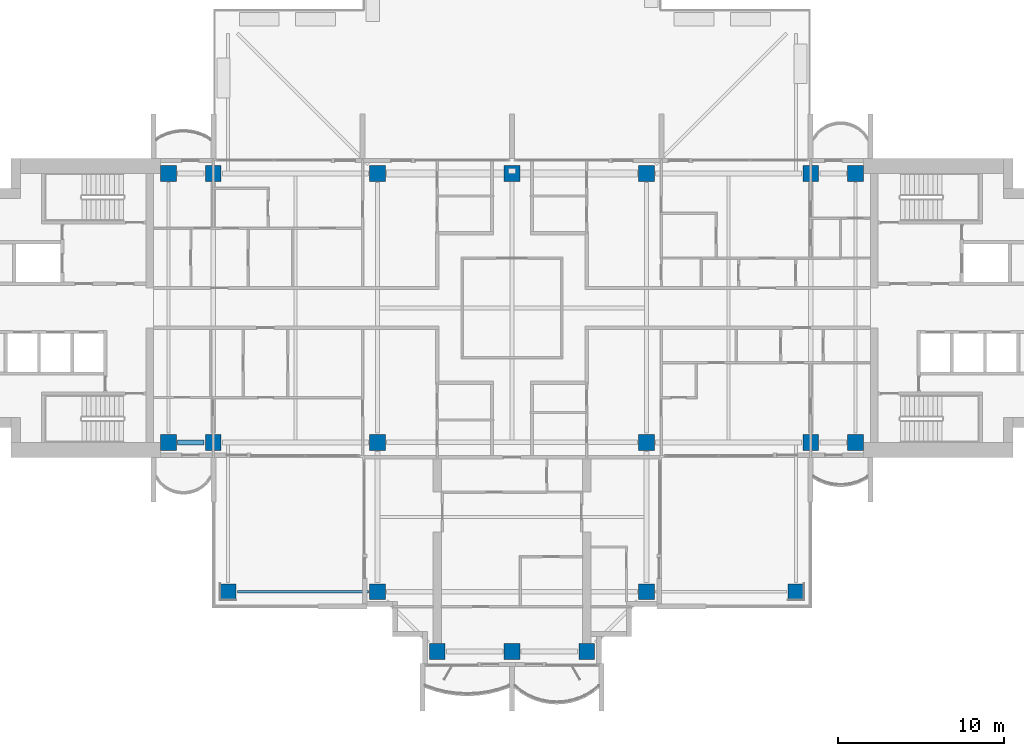
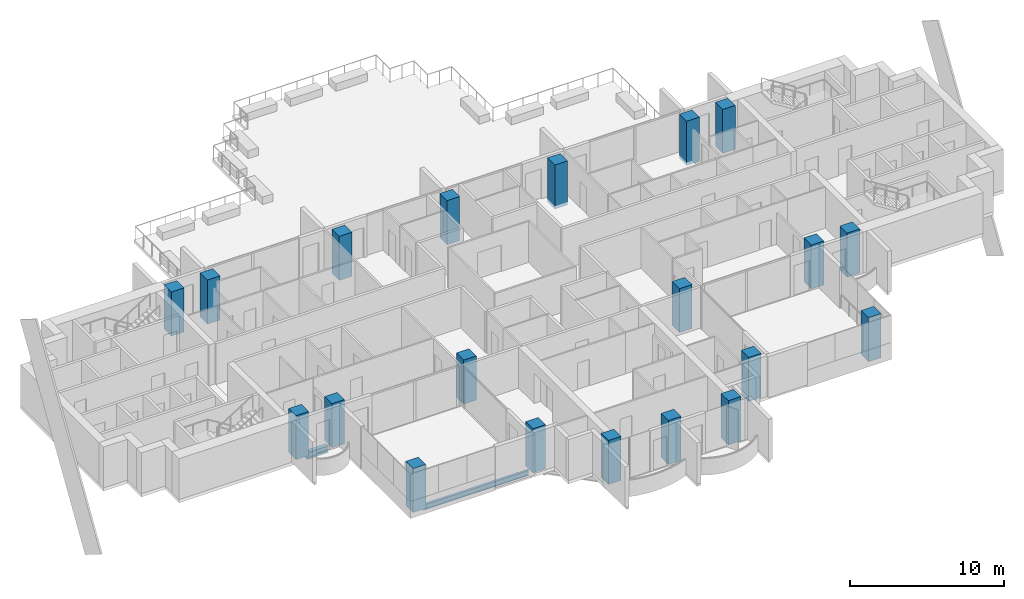
# One storey, part 1 of 18: 20 columns, 2 beams.
"""IFC4 building model written with IfcOpenShell, lengths in metres."""

import ifcopenshell
import ifcopenshell.guid

model = None  # the IFC model being written
_history = None  # IfcOwnerHistory: only IFC2X3 demands one
_inside = {}  # id of a spatial element -> (the spatial element, [elements in it])
_under = {}  # id of a project, library or spatial element -> (it, [spatial elements below it])
_declared = {}  # id of a project -> (the project, [libraries it declares])
_typed = {}  # id of a type object -> (the type object, [elements of that type])
_made_of = {}  # id of a material, layer set ... -> (it, [elements and type objects made of it])


def new_model(schema):
    """Start an empty IFC model of exactly this schema.

    Asked for "IFC4X3", IfcOpenShell would pick the latest addendum, in which some entities
    have other attributes; the version numbers below select the first issue.
    IFC2X3 requires an IfcOwnerHistory on every rooted entity: one is made here for all.
    """
    global model, _history
    if schema == "IFC4X3":
        model = ifcopenshell.file(schema_version=(4, 3, 0, 0))
    else:
        model = ifcopenshell.file(schema=schema)
    _inside.clear()
    _under.clear()
    _declared.clear()
    _typed.clear()
    _made_of.clear()
    _history = None
    if model.schema == "IFC2X3":
        org = make("IfcOrganization", Name="unknown")
        user = make(
            "IfcPersonAndOrganization",
            ThePerson=make("IfcPerson", FamilyName="unknown"),
            TheOrganization=org,
        )
        app = make(
            "IfcApplication",
            ApplicationDeveloper=org,
            Version="unknown",
            ApplicationFullName="unknown",
            ApplicationIdentifier="unknown",
        )
        _history = make(
            "IfcOwnerHistory",
            OwningUser=user,
            OwningApplication=app,
            ChangeAction="ADDED",
            CreationDate=0,
        )
    return model


def make(cls, **values):
    """One entity of the class cls with the attributes given. An attribute that is None is left unset."""
    return model.create_entity(
        cls, **{name: value for name, value in values.items() if value is not None}
    )


def rooted(cls, **values):
    """An entity with a GlobalId (a new one), such as an element, a storey or a relation."""
    return make(cls, GlobalId=ifcopenshell.guid.new(), OwnerHistory=_history, **values)


def si_unit(unit_type, name, prefix=None):
    """IfcSIUnit, for example si_unit("LENGTHUNIT", "METRE", prefix="MILLI")."""
    return make("IfcSIUnit", UnitType=unit_type, Prefix=prefix, Name=name)


def assignment(units):
    """IfcUnitAssignment: the units of a project."""
    return None if units is None else make("IfcUnitAssignment", Units=units)


def point(xyz):
    """IfcCartesianPoint."""
    return None if xyz is None else make("IfcCartesianPoint", Coordinates=xyz)


def direction(xyz):
    """IfcDirection."""
    return None if xyz is None else make("IfcDirection", DirectionRatios=xyz)


def frame(location, z_axis=None, x_axis=None):
    """IfcAxis2Placement3D, a coordinate frame: its origin and axes. An axis left out is left unset."""
    return make(
        "IfcAxis2Placement3D",
        Location=point(location),
        Axis=direction(z_axis),
        RefDirection=direction(x_axis),
    )


def frame_2d(location, x_axis=None):
    """IfcAxis2Placement2D, a coordinate frame in the plane: its origin and x axis."""
    return make(
        "IfcAxis2Placement2D", Location=point(location), RefDirection=direction(x_axis)
    )


def origin():
    """The frame at (0, 0, 0) with its axes left unset."""
    return frame((0.0, 0.0, 0.0))


def origin_2d():
    """The frame at (0, 0) in the plane with its x axis left unset."""
    return frame_2d((0.0, 0.0))


def place(relative_to, where):
    """IfcLocalPlacement: puts the frame where relative to a parent placement (None: the world)."""
    return make(
        "IfcLocalPlacement", PlacementRelTo=relative_to, RelativePlacement=where
    )


def context(
    kind, dimensions, precision=None, world=None, true_north=None, identifier=None
):
    """IfcGeometricRepresentationContext, for example the 3D "Model" context."""
    return make(
        "IfcGeometricRepresentationContext",
        ContextIdentifier=identifier,
        ContextType=kind,
        CoordinateSpaceDimension=dimensions,
        Precision=precision,
        WorldCoordinateSystem=world,
        TrueNorth=true_north,
    )


def subcontext(parent, identifier, kind, view, scale=None):
    """IfcGeometricRepresentationSubContext, for example "Body" below "Model"."""
    return make(
        "IfcGeometricRepresentationSubContext",
        ContextIdentifier=identifier,
        ContextType=kind,
        ParentContext=parent,
        TargetScale=scale,
        TargetView=view,
    )


def project(units=None, contexts=None):
    """IfcProject with its units and contexts."""
    return rooted(
        "IfcProject",
        Name="project",
        RepresentationContexts=contexts,
        UnitsInContext=assignment(units),
    )


def spatial(cls, under=None, at=None, **own):
    """A site, building, storey or space (cls), placed at a placement, below another one or the project."""
    s = rooted(cls, ObjectPlacement=at, **own)
    if under is not None:
        _under.setdefault(under.id(), (under, []))[1].append(s)
    return s


def profile(cls, at=None, kind="AREA", **sizes):
    """A parametric profile (cls). Its sizes go by their IFC names, for example OverallWidth=200.0."""
    return make(cls, ProfileType=kind, Position=at, **sizes)


def rectangle(**sizes):
    """IfcRectangleProfileDef."""
    return profile("IfcRectangleProfileDef", **sizes)


def i_section(**sizes):
    """IfcIShapeProfileDef."""
    return profile("IfcIShapeProfileDef", **sizes)


def extrude(swept, where, along, depth):
    """IfcExtrudedAreaSolid: the profile swept, set in the frame where, extruded along a direction by depth."""
    return make(
        "IfcExtrudedAreaSolid",
        SweptArea=swept,
        Position=where,
        ExtrudedDirection=direction(along),
        Depth=depth,
    )


def shape(context_of_items, identifier, shape_type, items):
    """IfcShapeRepresentation: the items that make up one representation, for example the "Body"."""
    return make(
        "IfcShapeRepresentation",
        ContextOfItems=context_of_items,
        RepresentationIdentifier=identifier,
        RepresentationType=shape_type,
        Items=items,
    )


def material(Name=None, Category=None):
    """IfcMaterial."""
    return make("IfcMaterial", Name=Name, Category=Category)


def material_profile(
    of_material, cross_section, Name=None, Category=None, Priority=None
):
    """IfcMaterialProfile: a cross section and its material."""
    return make(
        "IfcMaterialProfile",
        Name=Name,
        Material=of_material,
        Profile=cross_section,
        Priority=Priority,
        Category=Category,
    )


def profile_set(profiles, Name=None, composite=None):
    """IfcMaterialProfileSet."""
    return make(
        "IfcMaterialProfileSet",
        Name=Name,
        MaterialProfiles=profiles,
        CompositeProfile=composite,
    )


def made_of(thing, what):
    """Note that an element or type object is made of a material, layer set ...; save() writes the relation."""
    if what is not None:
        _made_of.setdefault(what.id(), (what, []))[1].append(thing)
    return thing


def type_object(cls, material=None, **own):
    """A type object (cls), such as IfcWallType, which elements share."""
    return made_of(rooted(cls, **own), material)


def element(
    cls,
    number,
    at=None,
    inside=None,
    cuts=None,
    type_object=None,
    material=None,
    context=None,
    identifier="Body",
    shape_type=None,
    held_by="IfcProductDefinitionShape",
    body=None,
    shapes=None,
    **own,
):
    """One element of the class cls, such as IfcWall. Its Tag is "e" and its number.

    at: its placement. inside: the storey or other place that contains it. cuts: it is an
    opening in that element (IfcRelVoidsElement). A single representation is given by context,
    identifier, shape_type and body (its items); several are given by shapes. held_by: the class
    of the entity that holds the representations. save() writes the other relations.
    """
    e = rooted(cls, Tag="e%d" % number, ObjectPlacement=at, **own)
    if body is not None:
        shapes = [shape(context, identifier, shape_type, body)]
    if shapes is not None:
        e.Representation = make(held_by, Representations=shapes)
    if inside is not None:
        _inside.setdefault(inside.id(), (inside, []))[1].append(e)
    if cuts is not None:
        rooted(
            "IfcRelVoidsElement", RelatingBuildingElement=cuts, RelatedOpeningElement=e
        )
    if type_object is not None:
        _typed.setdefault(type_object.id(), (type_object, []))[1].append(e)
    return made_of(e, material)


def aggregate(whole, parts):
    """IfcRelAggregates: a whole, such as a stair, and the parts it consists of."""
    return rooted("IfcRelAggregates", RelatingObject=whole, RelatedObjects=parts)


def save(model, path):
    """Write the relations noted so far, then the file.

    IfcRelAggregates (storeys below a building ...), IfcRelContainedInSpatialStructure (elements
    in a storey), IfcRelDefinesByType, IfcRelAssociatesMaterial and IfcRelDeclares: one each for
    every whole, place, type object, material and project.
    """
    for whole, parts in _under.values():
        aggregate(whole, parts)
    for where, things in _inside.values():
        rooted(
            "IfcRelContainedInSpatialStructure",
            RelatedElements=things,
            RelatingStructure=where,
        )
    for kind, things in _typed.values():
        rooted("IfcRelDefinesByType", RelatedObjects=things, RelatingType=kind)
    for what, things in _made_of.values():
        rooted("IfcRelAssociatesMaterial", RelatedObjects=things, RelatingMaterial=what)
    for by, libraries in _declared.values():
        rooted("IfcRelDeclares", RelatingContext=by, RelatedDefinitions=libraries)
    model.write(path)


model = new_model("IFC4")

# Units and contexts
model_context = context("Model", 3, precision=1e-05, world=origin(), true_north=direction((0.0, 1.0)))
body_context = subcontext(model_context, "Body", "Model", "MODEL_VIEW")
ifc_project = project(units=[si_unit("LENGTHUNIT", "METRE"), si_unit("AREAUNIT", "SQUARE_METRE"), si_unit("VOLUMEUNIT", "CUBIC_METRE"), si_unit("PLANEANGLEUNIT", "RADIAN"), si_unit("MASSUNIT", "GRAM", prefix="KILO")], contexts=[model_context])

# Site, building, storey
site_placement = place(None, origin())
site = spatial("IfcSite", under=ifc_project, at=site_placement, CompositionType="ELEMENT")
building_placement = place(site_placement, origin())
building = spatial("IfcBuilding", under=site, at=building_placement, Name="Perihelion Cross Residences", CompositionType="ELEMENT")
storey_placement = place(building_placement, frame((0.0, 0.0, 166.60009765625)))
storey = spatial("IfcBuildingStorey", under=building, at=storey_placement, Name="L40", CompositionType="ELEMENT", Elevation=166.60009765625)

# Columns
ifc_material_1 = material(Name="Concrete C60/75", Category="concrete")
ifc_material_profile_1 = material_profile(ifc_material_1, rectangle(XDim=0.949951171875, YDim=0.949951171875, at=origin_2d()), Name="RC 950x950")
ifc_profile_set_1 = profile_set([ifc_material_profile_1], Name="Concrete C60/75")
column_type = type_object("IfcColumnType", Name="Reinforced concrete column 950x950 C60/75", PredefinedType="COLUMN", material=ifc_profile_set_1)
for number, where, z_axis, x_axis, name in (
    (1, (-20.699951171875, -8.10009765625, -0.25), (0.0, 0.0, 1.0), (1.0, 0.0, 0.0), "Column C017 L40 no. 1"),
    (2, (-20.699951171875, 8.10009765625, -0.25), (0.0, 0.0, 1.0), (1.0, 0.0, 0.0), "Column C010 L40 no. 1"),
    (3, (-18.0, -8.10009765625, -0.25), (0.0, 0.0, 1.0), (1.0, 0.0, 0.0), "Column C018 L40 no. 1"),
    (4, (-18.0, 8.10009765625, -0.25), (0.0, 0.0, 1.0), (1.0, 0.0, 0.0), "Column C011 L40 no. 1"),
    (5, (-8.10009765625, -17.10009765625, -0.25), (0.0, 0.0, 1.0), (1.0, 0.0, 0.0), "Column C031 L40 no. 1"),
    (6, (-8.10009765625, -8.10009765625, -0.25), (0.0, 0.0, 1.0), (1.0, 0.0, 0.0), "Column C019 L40 no. 1"),
    (7, (-8.10009765625, 8.10009765625, -0.25), (0.0, 0.0, 1.0), (1.0, 0.0, 0.0), "Column C012 L40 no. 1"),
    (8, (-4.5, -20.699951171875, -0.25), (0.0, 0.0, 1.0), (1.0, 0.0, 0.0), "Column C037 L40 no. 1"),
    (9, (0.0, -20.699951171875, -0.25), (0.0, 0.0, 1.0), (1.0, 0.0, 0.0), "Column C038 L40 no. 1"),
    (10, (0.0, 8.10009765625, -0.25), (0.0, 0.0, 1.0), (1.0, 0.0, 0.0), "Column C013 L40 no. 1"),
    (11, (4.5, -20.699951171875, -0.25), (0.0, 0.0, 1.0), (1.0, 0.0, 0.0), "Column C039 L40 no. 1"),
    (12, (8.10009765625, -17.10009765625, -0.25), (0.0, 0.0, 1.0), (1.0, 0.0, 0.0), "Column C035 L40 no. 1"),
    (13, (8.10009765625, -8.10009765625, -0.25), (0.0, 0.0, 1.0), (1.0, 0.0, 0.0), "Column C020 L40 no. 1"),
    (14, (8.10009765625, 8.10009765625, -0.25), (0.0, 0.0, 1.0), (1.0, 0.0, 0.0), "Column C014 L40 no. 1"),
    (15, (18.0, -8.10009765625, -0.25), (0.0, 0.0, 1.0), (1.0, 0.0, 0.0), "Column C021 L40 no. 1"),
    (16, (18.0, 8.10009765625, -0.25), (0.0, 0.0, 1.0), (1.0, 0.0, 0.0), "Column C015 L40 no. 1"),
    (17, (20.699951171875, -8.10009765625, -0.25), (0.0, 0.0, 1.0), (1.0, 0.0, 0.0), "Column C022 L40 no. 1"),
    (18, (20.699951171875, 8.10009765625, -0.25), (0.0, 0.0, 1.0), (1.0, 0.0, 0.0), "Column C016 L40 no. 1"),
    (19, (-17.10009765625, -17.10009765625, -0.25), (0.0, 0.0, 1.0), (1.0, 0.0, 0.0), "Column C030 L40 no. 1"),
    (20, (17.10009765625, -17.10009765625, -0.25), (0.0, 0.0, 1.0), (1.0, 0.0, 0.0), "Column C036 L40 no. 1"),
):
    element("IfcColumn", number, at=place(storey_placement, frame(where, z_axis=z_axis, x_axis=x_axis)), inside=storey, type_object=column_type, Name=name, PredefinedType="COLUMN", context=body_context, shape_type="SweptSolid", body=[
        extrude(rectangle(XDim=0.949951171875, YDim=0.949951171875, at=origin_2d()), origin(), (0.0, 0.0, 1.0), 3.5),
    ])

# Beams
ifc_material_2 = material(Name="Steel S355", Category="steel")
ifc_material_profile_2 = material_profile(ifc_material_2, i_section(OverallWidth=0.177978515625, OverallDepth=0.406005859375, WebThickness=0.0078125, FlangeThickness=0.0126953125, at=origin_2d()), Name="W410x60")
ifc_profile_set_2 = profile_set([ifc_material_profile_2], Name="Steel S355")
beam_type_1 = type_object("IfcBeamType", Name="Core edge beam W410x60", PredefinedType="BEAM", material=ifc_profile_set_2)
beam_1_placement = place(storey_placement, frame((-8.64990234375, -17.10009765625, -0.453125), z_axis=(-1.0, 0.0, 0.0), x_axis=(0.0, -1.0, 0.0)))
element("IfcBeam", 21, at=beam_1_placement, inside=storey, type_object=beam_type_1, Name="Core edge beam TB2 L40 corner no. 2", PredefinedType="BEAM", context=body_context, shape_type="SweptSolid", body=[
    extrude(i_section(OverallWidth=0.177978515625, OverallDepth=0.406005859375, WebThickness=0.0078125, FlangeThickness=0.0126953125, at=origin_2d()), origin(), (0.0, 0.0, 1.0), 7.900146484375),
])
ifc_material_3 = material(Name="Steel S355", Category="steel")
ifc_material_profile_3 = material_profile(ifc_material_3, i_section(OverallWidth=0.31201171875, OverallDepth=0.5439453125, WebThickness=0.0126953125, FlangeThickness=0.020263671875, at=origin_2d()), Name="W530x150")
ifc_profile_set_3 = profile_set([ifc_material_profile_3], Name="Steel S355")
beam_type_2 = type_object("IfcBeamType", Name="Edge beam W530x150", PredefinedType="SPANDREL", material=ifc_profile_set_3)
beam_2_placement = place(storey_placement, frame((-20.14990234375, -8.10009765625, -0.522216796875), z_axis=(1.0, 0.0, 0.0), x_axis=(0.0, 1.0, 0.0)))
element("IfcBeam", 22, at=beam_2_placement, inside=storey, type_object=beam_type_2, Name="Edge beam SB4 L40 no. 3", PredefinedType="SPANDREL", context=body_context, shape_type="SweptSolid", body=[
    extrude(i_section(OverallWidth=0.31201171875, OverallDepth=0.5439453125, WebThickness=0.0126953125, FlangeThickness=0.020263671875, at=origin_2d()), origin(), (0.0, 0.0, 1.0), 1.599853515625),
])

save(model, "model.ifc")
